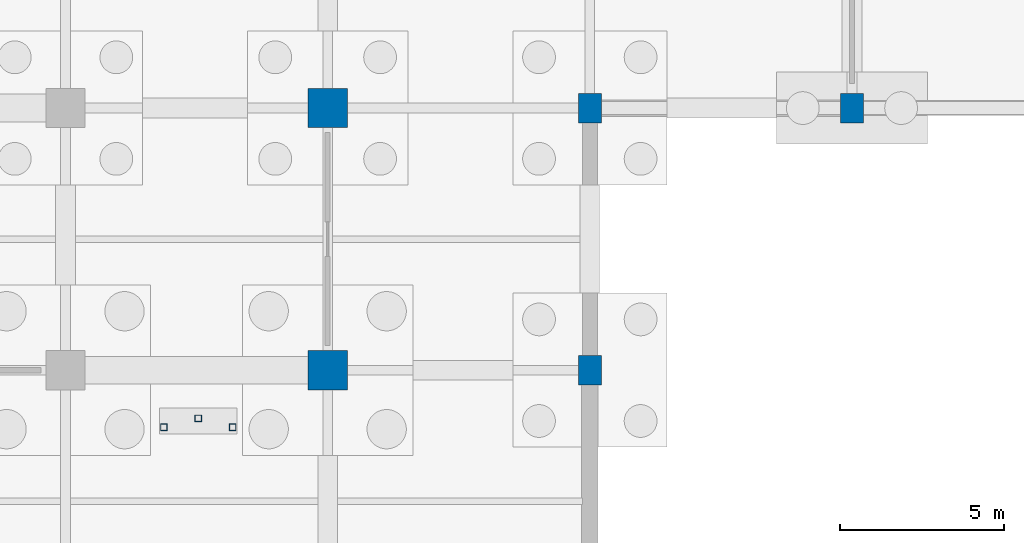
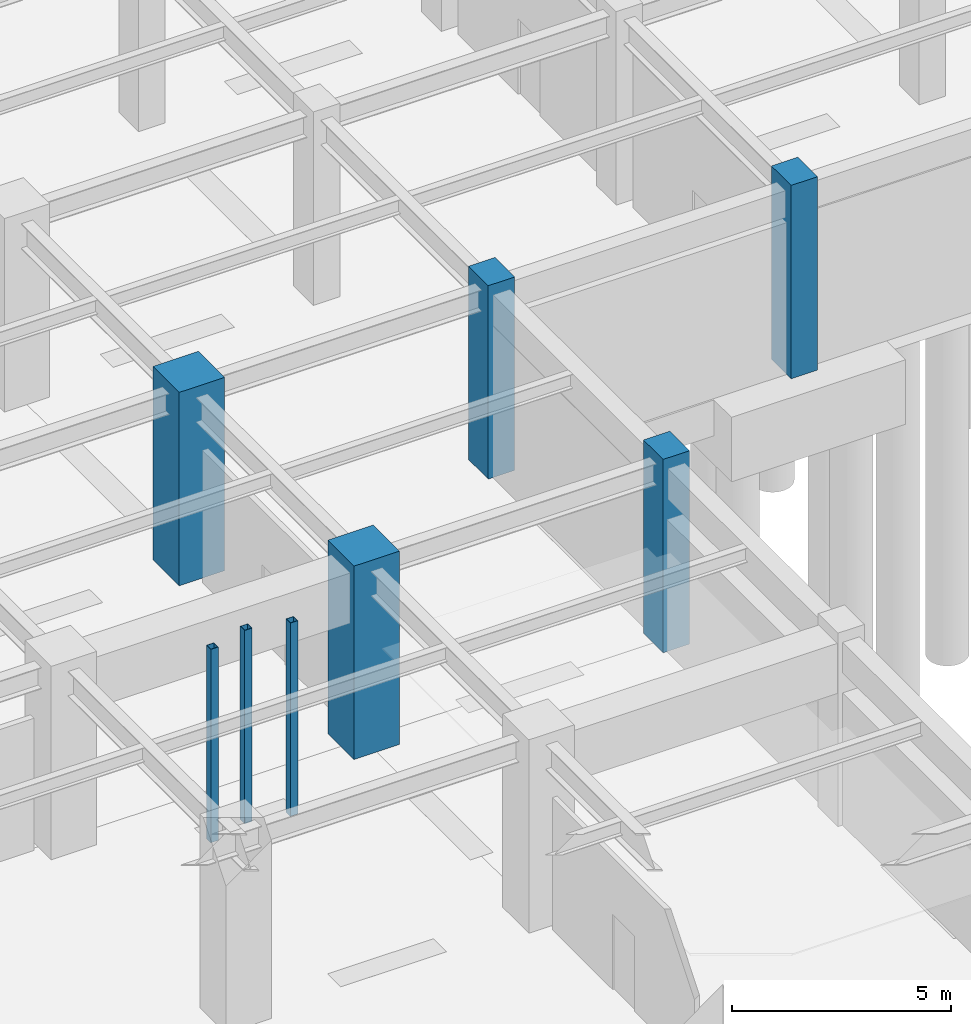
# One storey, part 57 of 97: 8 columns.
"""IFC4 building model written with IfcOpenShell, lengths in metres."""

from ifc_helpers import new_model, si_unit, direction, frame, origin, origin_2d, place, context, subcontext, project, spatial, rectangle, hollow_rectangle, extrude, material, material_profile, profile_set, type_object, element, save


model = new_model("IFC4")

# Units and contexts
model_context = context("Model", 3, precision=1e-05, world=origin(), true_north=direction((0.0, 1.0)))
body_context = subcontext(model_context, "Body", "Model", "MODEL_VIEW")
ifc_project = project(units=[si_unit("LENGTHUNIT", "METRE"), si_unit("AREAUNIT", "SQUARE_METRE"), si_unit("VOLUMEUNIT", "CUBIC_METRE"), si_unit("PLANEANGLEUNIT", "RADIAN"), si_unit("MASSUNIT", "GRAM", prefix="KILO")], contexts=[model_context])

# Site, building, storey
site_placement = place(None, origin())
site = spatial("IfcSite", under=ifc_project, at=site_placement, CompositionType="ELEMENT")
building_placement = place(site_placement, origin())
building = spatial("IfcBuilding", under=site, at=building_placement, Name="Haebicheon Civic Stadium", CompositionType="ELEMENT")
storey_placement = place(building_placement, frame((0.0, 0.0, -5.39990234375)))
storey = spatial("IfcBuildingStorey", under=building, at=storey_placement, Name="B1", CompositionType="ELEMENT", Elevation=-5.39990234375)

# Columns
ifc_material_1 = material(Name="Concrete C40/50", Category="concrete")
ifc_material_profile_1 = material_profile(ifc_material_1, rectangle(XDim=1.199951171875, YDim=1.199951171875, at=origin_2d()), Name="RC-COL-1200x1200")
ifc_profile_set_1 = profile_set([ifc_material_profile_1], Name="Concrete C40/50")
column_type_1 = type_object("IfcColumnType", Name="COL-RC-1200", PredefinedType="COLUMN", material=ifc_profile_set_1)
for number, where, z_axis, x_axis, name in (
    (1, (160.0, 128.0, 0.0), (0.0, 0.0, 1.0), (1.0, 0.0, 0.0), "B1 column 21/S"),
    (2, (160.0, 136.0, 0.0), (0.0, 0.0, 1.0), (1.0, 0.0, 0.0), "B1 column 21/T"),
):
    element("IfcColumn", number, at=place(storey_placement, frame(where, z_axis=z_axis, x_axis=x_axis)), inside=storey, type_object=column_type_1, material=ifc_profile_set_1, Name=name, PredefinedType="COLUMN", context=body_context, shape_type="SweptSolid", body=[
        extrude(rectangle(XDim=1.199951171875, YDim=1.199951171875, at=origin_2d()), origin(), (0.0, 0.0, 1.0), 5.39990234375),
    ])
ifc_material_2 = material(Name="Concrete C40/50", Category="concrete")
ifc_material_profile_2 = material_profile(ifc_material_2, rectangle(XDim=0.699951171875, YDim=0.89990234375, at=origin_2d()), Name="RC-COL-900x700")
ifc_profile_set_2 = profile_set([ifc_material_profile_2], Name="Concrete C40/50")
column_type_2 = type_object("IfcColumnType", Name="COL-RC-900x700", PredefinedType="COLUMN", material=ifc_profile_set_2)
for number, where, z_axis, x_axis, name in (
    (3, (168.0, 128.0, 0.0), (0.0, 0.0, 1.0), (1.0, 0.0, 0.0), "B1 column 22/S"),
    (4, (168.0, 136.0, 0.0), (0.0, 0.0, 1.0), (1.0, 0.0, 0.0), "B1 column 22/T"),
    (5, (176.0, 136.0, 0.0), (0.0, 0.0, 1.0), (1.0, 0.0, 0.0), "B1 column 23/T"),
):
    element("IfcColumn", number, at=place(storey_placement, frame(where, z_axis=z_axis, x_axis=x_axis)), inside=storey, type_object=column_type_2, material=ifc_profile_set_2, Name=name, PredefinedType="COLUMN", context=body_context, shape_type="SweptSolid", body=[
        extrude(rectangle(XDim=0.699951171875, YDim=0.89990234375, at=origin_2d()), origin(), (0.0, 0.0, 1.0), 5.39990234375),
    ])
ifc_material_3 = material(Name="Steel SM355 (S355)", Category="steel")
ifc_material_profile_3 = material_profile(ifc_material_3, hollow_rectangle(XDim=0.199951171875, YDim=0.199951171875, WallThickness=0.009033203125, at=origin_2d()), Name="RHS-200x200x9.0")
ifc_profile_set_3 = profile_set([ifc_material_profile_3], Name="Steel SM355 (S355)")
column_type_3 = type_object("IfcColumnType", Name="COL-ST-RHS200", PredefinedType="COLUMN", material=ifc_profile_set_3)
for number, where, z_axis, x_axis, name in (
    (6, (155.0, 126.260009765625, 0.0), (0.0, 0.0, 1.0), (1.0, 0.0, 0.0), "VM-08 B1 vomitory landing support post A"),
    (7, (157.10009765625, 126.260009765625, 0.0), (0.0, 0.0, 1.0), (1.0, 0.0, 0.0), "VM-08 B1 vomitory landing support post B"),
    (8, (156.050048828125, 126.530029296875, 0.0), (0.0, 0.0, 1.0), (1.0, 0.0, 0.0), "VM-08 B1 vomitory landing support post C"),
):
    element("IfcColumn", number, at=place(storey_placement, frame(where, z_axis=z_axis, x_axis=x_axis)), inside=storey, type_object=column_type_3, material=ifc_profile_set_3, Name=name, PredefinedType="COLUMN", context=body_context, shape_type="SweptSolid", body=[
        extrude(hollow_rectangle(XDim=0.199951171875, YDim=0.199951171875, WallThickness=0.009033203125, at=origin_2d()), origin(), (0.0, 0.0, 1.0), 5.39990234375),
    ])

save(model, "model.ifc")
